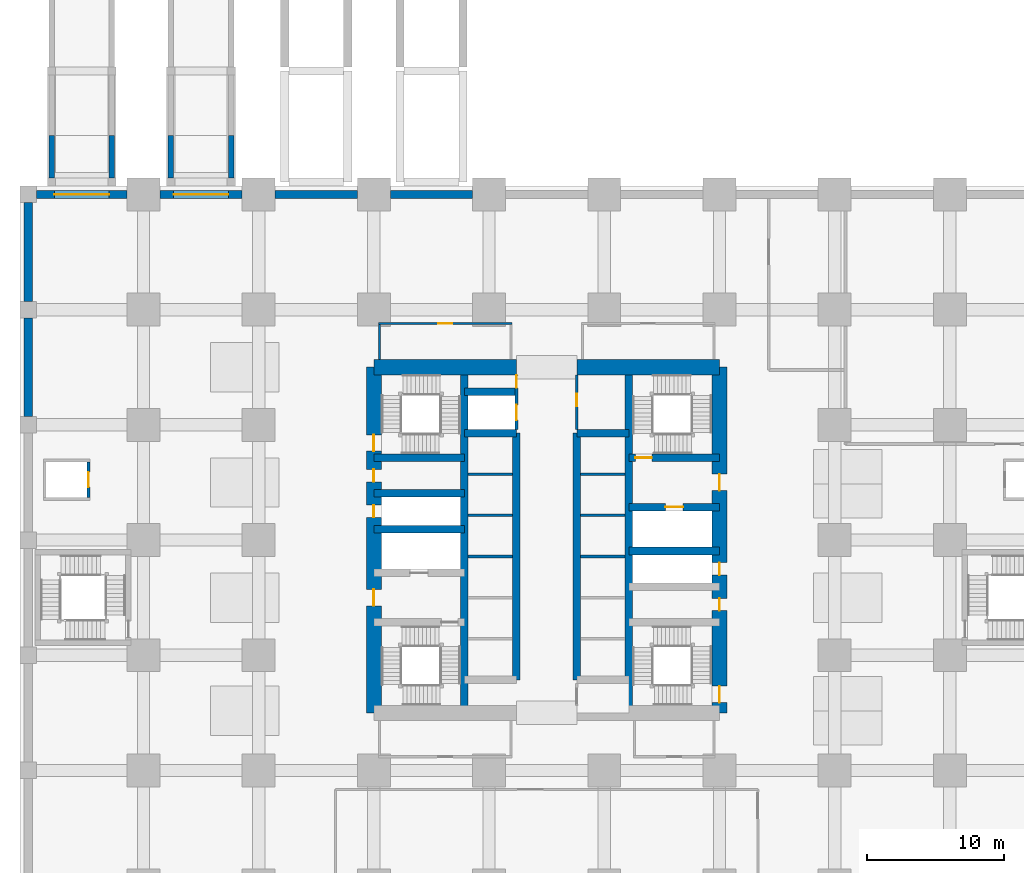
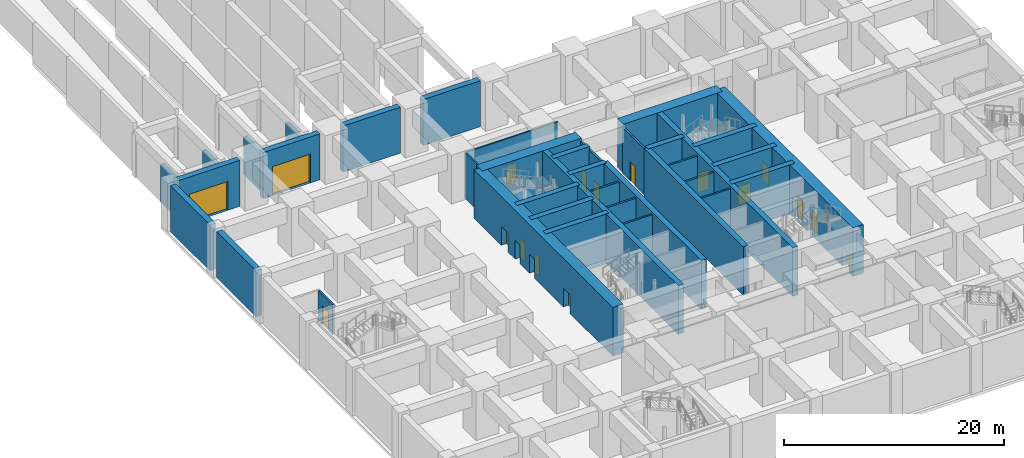
# One storey, part 7 of 20: 38 walls, 17 doors, 17 openings.
"""IFC4 building model written with IfcOpenShell, lengths in metres."""

from ifc_helpers import new_model, si_unit, direction, frame, frame_2d, origin, place, context, subcontext, project, spatial, rectangle, extrude, material, layer, layer_set, type_object, element, fill, save


model = new_model("IFC4")

# Units and contexts
model_context = context("Model", 3, precision=1e-05, world=origin(), true_north=direction((0.0, 1.0)))
body_context = subcontext(model_context, "Body", "Model", "MODEL_VIEW")
ifc_project = project(units=[si_unit("LENGTHUNIT", "METRE"), si_unit("AREAUNIT", "SQUARE_METRE"), si_unit("VOLUMEUNIT", "CUBIC_METRE"), si_unit("PLANEANGLEUNIT", "RADIAN"), si_unit("MASSUNIT", "GRAM", prefix="KILO")], contexts=[model_context])

# Site, building, storey
site_placement = place(None, origin())
site = spatial("IfcSite", under=ifc_project, at=site_placement, CompositionType="ELEMENT")
building_placement = place(site_placement, origin())
building = spatial("IfcBuilding", under=site, at=building_placement, Name="Rekha Terrace Tower", CompositionType="ELEMENT")
storey_placement = place(building_placement, frame((0.0, 0.0, -5.39990234375)))
storey = spatial("IfcBuildingStorey", under=building, at=storey_placement, Name="B-01", CompositionType="ELEMENT", Elevation=-5.39990234375)

# Walls
ifc_material_1 = material(Name="Concrete M70", Category="concrete")
ifc_layer_1 = layer(ifc_material_1, 0.550048828125)
ifc_layer_set_1 = layer_set([ifc_layer_1], Name="Concrete M70")
wall_type_1 = type_object("IfcWallType", Name="CI1 550 core internal shear wall", PredefinedType="SHEAR", material=ifc_layer_set_1)
for number, where, z_axis, x_axis, name in (
    (1, (31.800048828125, 21.0, 0.0), (0.0, 0.0, 1.0), (0.0, 1.0, 0.0), "Core wall X318 B-01"),
    (2, (43.800048828125, 21.0, 0.0), (0.0, 0.0, 1.0), (0.0, 1.0, 0.0), "Core wall X438 B-01"),
):
    element("IfcWall", number, at=place(storey_placement, frame(where, z_axis=z_axis, x_axis=x_axis)), inside=storey, type_object=wall_type_1, Name=name, PredefinedType="SHEAR", context=body_context, shape_type="SweptSolid", body=[
        extrude(rectangle(XDim=25.199951171875, YDim=0.550048828125, at=frame_2d((12.60009765625, 0.0))), origin(), (0.0, 0.0, 1.0), 5.39990234375),
    ])
for number, where, z_axis, x_axis, name in (
    (3, (35.60009765625, 23.39990234375, 0.0), (0.0, 0.0, 1.0), (0.0, 1.0, 0.0), "Core wall X356 B-01"),
    (4, (40.0, 23.39990234375, 0.0), (0.0, 0.0, 1.0), (0.0, 1.0, 0.0), "Core wall X400 B-01"),
):
    element("IfcWall", number, at=place(storey_placement, frame(where, z_axis=z_axis, x_axis=x_axis)), inside=storey, type_object=wall_type_1, Name=name, PredefinedType="SHEAR", context=body_context, shape_type="SweptSolid", body=[
        extrude(rectangle(XDim=18.0, YDim=0.550048828125, at=frame_2d((9.0, 0.0))), origin(), (0.0, 0.0, 1.0), 5.39990234375),
    ])
for number, where, z_axis, x_axis, name in (
    (5, (31.800048828125, 41.39990234375, 0.0), (0.0, 0.0, 1.0), (1.0, 0.0, 0.0), "Core wall Y414W B-01"),
    (6, (31.800048828125, 44.39990234375, 0.0), (0.0, 0.0, 1.0), (1.0, 0.0, 0.0), "Core wall Y444W B-01"),
    (7, (40.0, 41.39990234375, 0.0), (0.0, 0.0, 1.0), (1.0, 0.0, 0.0), "Core wall Y414E B-01"),
):
    element("IfcWall", number, at=place(storey_placement, frame(where, z_axis=z_axis, x_axis=x_axis)), inside=storey, type_object=wall_type_1, Name=name, PredefinedType="SHEAR", context=body_context, shape_type="SweptSolid", body=[
        extrude(rectangle(XDim=3.800048828125, YDim=0.550048828125, at=frame_2d((1.89990234375, 0.0))), origin(), (0.0, 0.0, 1.0), 5.39990234375),
    ])
for number, where, z_axis, x_axis, name in (
    (8, (25.199951171875, 34.39990234375, 0.0), (0.0, 0.0, 1.0), (1.0, 0.0, 0.0), "Core wall Y344W B-01"),
    (9, (25.199951171875, 37.0, 0.0), (0.0, 0.0, 1.0), (1.0, 0.0, 0.0), "Core wall Y370W B-01"),
    (10, (25.199951171875, 39.60009765625, 0.0), (0.0, 0.0, 1.0), (1.0, 0.0, 0.0), "Core wall Y396W B-01"),
):
    element("IfcWall", number, at=place(storey_placement, frame(where, z_axis=z_axis, x_axis=x_axis)), inside=storey, type_object=wall_type_1, Name=name, PredefinedType="SHEAR", context=body_context, shape_type="SweptSolid", body=[
        extrude(rectangle(XDim=6.60009765625, YDim=0.550048828125, at=frame_2d((3.300048828125, 0.0))), origin(), (0.0, 0.0, 1.0), 5.39990234375),
    ])
wall_1_placement = place(storey_placement, frame((43.800048828125, 32.800048828125, 0.0), z_axis=(0.0, 0.0, 1.0), x_axis=(1.0, 0.0, 0.0)))
element("IfcWall", 11, at=wall_1_placement, inside=storey, type_object=wall_type_1, Name="Core wall Y328E B-01", PredefinedType="SHEAR", context=body_context, shape_type="SweptSolid", body=[
    extrude(rectangle(XDim=6.599853515625, YDim=0.550048828125, at=frame_2d((3.2998046875, 0.0))), origin(), (0.0, 0.0, 1.0), 5.39990234375),
])

# Wall, opening, door
wall_2_placement = place(storey_placement, frame((43.800048828125, 36.0, 0.0), z_axis=(0.0, 0.0, 1.0), x_axis=(1.0, 0.0, 0.0)))
wall_2 = element("IfcWall", 12, at=wall_2_placement, inside=storey, type_object=wall_type_1, Name="Core wall Y360E B-01", PredefinedType="SHEAR", context=body_context, shape_type="SweptSolid", body=[
    extrude(rectangle(XDim=6.599853515625, YDim=0.550048828125, at=frame_2d((3.2998046875, 0.0))), origin(), (0.0, 0.0, 1.0), 5.39990234375),
])
opening_1_placement = place(wall_2_placement, frame((2.64990234375, 0.0, 0.0)))
opening_1 = element("IfcOpeningElement", 13, at=opening_1_placement, cuts=wall_2, Name="Opening LD2", PredefinedType="OPENING", context=body_context, shape_type="SweptSolid", body=[
    extrude(rectangle(XDim=1.300048828125, YDim=2.10009765625, at=frame_2d((0.64990234375, 1.050048828125))), frame((0.0, 0.284912109375, 0.0), z_axis=(0.0, -1.0, 0.0), x_axis=(1.0, 0.0, 0.0)), (0.0, 0.0, 1.0), 0.570068359375),
])
ifc_material_2 = material(Name="Stainless steel sliding landing door", Category="steel")
door_type_1 = type_object("IfcDoorType", Name="LD2 1300x2100 fire lift landing door", OperationType="SLIDING_TO_LEFT", PredefinedType="USERDEFINED", material=ifc_material_2)
door_1_placement = place(opening_1_placement, origin())
door_1 = element("IfcDoor", 14, at=door_1_placement, inside=storey, type_object=door_type_1, Name="Lift FL2 landing door B-01", ObjectType="LIFT LANDING DOOR", OperationType="SLIDING_TO_LEFT", OverallHeight=2.10009765625, OverallWidth=1.300048828125, PredefinedType="USERDEFINED", context=body_context, shape_type="SweptSolid", body=[
    extrude(rectangle(XDim=1.300048828125, YDim=2.10009765625, at=frame_2d((0.64990234375, 1.050048828125))), frame((0.0, 0.02490234375, 0.0), z_axis=(0.0, -1.0, 0.0), x_axis=(1.0, 0.0, 0.0)), (0.0, 0.0, 1.0), 0.050048828125),
])
fill(opening_1, door_1)

wall_3_placement = place(storey_placement, frame((43.800048828125, 39.60009765625, 0.0), z_axis=(0.0, 0.0, 1.0), x_axis=(1.0, 0.0, 0.0)))
wall_3 = element("IfcWall", 15, at=wall_3_placement, inside=storey, type_object=wall_type_1, Name="Core wall Y396E B-01", PredefinedType="SHEAR", context=body_context, shape_type="SweptSolid", body=[
    extrude(rectangle(XDim=6.599853515625, YDim=0.550048828125, at=frame_2d((3.2998046875, 0.0))), origin(), (0.0, 0.0, 1.0), 5.39990234375),
])
opening_2_placement = place(wall_3_placement, frame((0.47509765625, 0.0, 0.0)))
opening_2 = element("IfcOpeningElement", 16, at=opening_2_placement, cuts=wall_3, Name="Opening D1", PredefinedType="OPENING", context=body_context, shape_type="SweptSolid", body=[
    extrude(rectangle(XDim=1.199951171875, YDim=2.10009765625, at=frame_2d((0.60009765625, 1.050048828125))), frame((0.0, 0.284912109375, 0.0), z_axis=(0.0, -1.0, 0.0), x_axis=(1.0, 0.0, 0.0)), (0.0, 0.0, 1.0), 0.570068359375),
])
ifc_material_3 = material(Name="Steel fire door", Category="steel")
door_type_2 = type_object("IfcDoorType", Name="D1 1200x2100 stair fire door", OperationType="SINGLE_SWING_RIGHT", PredefinedType="DOOR", material=ifc_material_3)
door_2_placement = place(opening_2_placement, origin())
door_2 = element("IfcDoor", 17, at=door_2_placement, inside=storey, type_object=door_type_2, Name="Stair ST2 door B-01", OperationType="SINGLE_SWING_RIGHT", OverallHeight=2.10009765625, OverallWidth=1.199951171875, PredefinedType="DOOR", context=body_context, shape_type="SweptSolid", body=[
    extrude(rectangle(XDim=1.199951171875, YDim=2.10009765625, at=frame_2d((0.60009765625, 1.050048828125))), frame((0.0, 0.02490234375, 0.0), z_axis=(0.0, -1.0, 0.0), x_axis=(1.0, 0.0, 0.0)), (0.0, 0.0, 1.0), 0.050048828125),
])
fill(opening_2, door_2)

ifc_material_4 = material(Name="Concrete M40", Category="concrete")
ifc_layer_2 = layer(ifc_material_4, 0.60009765625)
ifc_layer_set_2 = layer_set([ifc_layer_2], Name="Concrete M40")
wall_type_2 = type_object("IfcWallType", Name="RW1 600 basement retaining wall", PredefinedType="SOLIDWALL", material=ifc_layer_set_2)
wall_4_placement = place(storey_placement, frame((0.60009765625, 58.800048828125, 0.0), z_axis=(0.0, 0.0, 1.0), x_axis=(1.0, 0.0, 0.0)))
wall_4 = element("IfcWall", 18, at=wall_4_placement, inside=storey, type_object=wall_type_2, Name="Basement retaining wall RW1 1H-2H B-01", PredefinedType="SOLIDWALL", context=body_context, shape_type="SweptSolid", body=[
    extrude(rectangle(XDim=6.599853515625, YDim=0.60009765625, at=frame_2d((3.2998046875, 0.0))), origin(), (0.0, 0.0, 1.0), 5.099853515625),
])
opening_3_placement = place(wall_4_placement, frame((1.300048828125, 0.0, 0.0)))
opening_3 = element("IfcOpeningElement", 19, at=opening_3_placement, cuts=wall_4, Name="Opening VD1", PredefinedType="OPENING", context=body_context, shape_type="SweptSolid", body=[
    extrude(rectangle(XDim=4.0, YDim=3.199951171875, at=frame_2d((2.0, 1.60009765625))), frame((0.0, 0.31005859375, 0.0), z_axis=(0.0, -1.0, 0.0), x_axis=(1.0, 0.0, 0.0)), (0.0, 0.0, 1.0), 0.6201171875),
])
ifc_material_5 = material(Name="Galvanised steel roller shutter", Category="steel")
door_type_3 = type_object("IfcDoorType", Name="VD1 4000x3200 vehicle roller shutter", OperationType="ROLLINGUP", PredefinedType="DOOR", material=ifc_material_5)
door_3_placement = place(opening_3_placement, origin())
door_3 = element("IfcDoor", 20, at=door_3_placement, inside=storey, type_object=door_type_3, Name="Vehicle entrance roller shutter 1", OperationType="ROLLINGUP", OverallHeight=3.199951171875, OverallWidth=4.0, PredefinedType="DOOR", context=body_context, shape_type="SweptSolid", body=[
    extrude(rectangle(XDim=4.0, YDim=3.199951171875, at=frame_2d((2.0, 1.60009765625))), frame((0.0, 0.02490234375, 0.0), z_axis=(0.0, -1.0, 0.0), x_axis=(1.0, 0.0, 0.0)), (0.0, 0.0, 1.0), 0.050048828125),
])
fill(opening_3, door_3)

wall_5_placement = place(storey_placement, frame((9.60009765625, 58.800048828125, 0.0), z_axis=(0.0, 0.0, 1.0), x_axis=(1.0, 0.0, 0.0)))
wall_5 = element("IfcWall", 21, at=wall_5_placement, inside=storey, type_object=wall_type_2, Name="Basement retaining wall RW1 2H-3H B-01", PredefinedType="SOLIDWALL", context=body_context, shape_type="SweptSolid", body=[
    extrude(rectangle(XDim=6.0, YDim=0.60009765625, at=frame_2d((3.0, 0.0))), origin(), (0.0, 0.0, 1.0), 5.099853515625),
])
opening_4_placement = place(wall_5_placement, frame((1.0, 0.0, 0.0)))
opening_4 = element("IfcOpeningElement", 22, at=opening_4_placement, cuts=wall_5, Name="Opening VD1", PredefinedType="OPENING", context=body_context, shape_type="SweptSolid", body=[
    extrude(rectangle(XDim=4.0, YDim=3.199951171875, at=frame_2d((2.0, 1.60009765625))), frame((0.0, 0.31005859375, 0.0), z_axis=(0.0, -1.0, 0.0), x_axis=(1.0, 0.0, 0.0)), (0.0, 0.0, 1.0), 0.6201171875),
])
door_4_placement = place(opening_4_placement, origin())
door_4 = element("IfcDoor", 23, at=door_4_placement, inside=storey, type_object=door_type_3, Name="Vehicle exit roller shutter 2", OperationType="ROLLINGUP", OverallHeight=3.199951171875, OverallWidth=4.0, PredefinedType="DOOR", context=body_context, shape_type="SweptSolid", body=[
    extrude(rectangle(XDim=4.0, YDim=3.199951171875, at=frame_2d((2.0, 1.60009765625))), frame((0.0, 0.02490234375, 0.0), z_axis=(0.0, -1.0, 0.0), x_axis=(1.0, 0.0, 0.0)), (0.0, 0.0, 1.0), 0.050048828125),
])
fill(opening_4, door_4)

# Walls
for number, where, z_axis, x_axis, name in (
    (24, (18.0, 58.800048828125, 0.0), (0.0, 0.0, 1.0), (1.0, 0.0, 0.0), "Basement retaining wall RW1 3H-4H B-01"),
    (25, (26.39990234375, 58.800048828125, 0.0), (0.0, 0.0, 1.0), (1.0, 0.0, 0.0), "Basement retaining wall RW1 4H-5H B-01"),
):
    element("IfcWall", number, at=place(storey_placement, frame(where, z_axis=z_axis, x_axis=x_axis)), inside=storey, type_object=wall_type_2, Name=name, PredefinedType="SOLIDWALL", context=body_context, shape_type="SweptSolid", body=[
        extrude(rectangle(XDim=6.0, YDim=0.60009765625, at=frame_2d((3.0, 0.0))), origin(), (0.0, 0.0, 1.0), 5.099853515625),
    ])
for number, where, z_axis, x_axis, name in (
    (26, (0.0, 42.60009765625, 0.0), (0.0, 0.0, 1.0), (0.0, 1.0, 0.0), "Basement retaining wall RW1 1F-1G B-01"),
    (27, (0.0, 51.0, 0.0), (0.0, 0.0, 1.0), (0.0, 1.0, 0.0), "Basement retaining wall RW1 1G-1H B-01"),
):
    element("IfcWall", number, at=place(storey_placement, frame(where, z_axis=z_axis, x_axis=x_axis)), inside=storey, type_object=wall_type_2, Name=name, PredefinedType="SOLIDWALL", context=body_context, shape_type="SweptSolid", body=[
        extrude(rectangle(XDim=7.199951171875, YDim=0.60009765625, at=frame_2d((3.60009765625, 0.0))), origin(), (0.0, 0.0, 1.0), 5.099853515625),
    ])
ifc_layer_3 = layer(ifc_material_4, 0.39990234375)
ifc_layer_set_3 = layer_set([ifc_layer_3], Name="Concrete M40")
wall_type_3 = type_object("IfcWallType", Name="RW2 400 ramp retaining wall", PredefinedType="SOLIDWALL", material=ifc_layer_set_3)
for number, where, z_axis, x_axis, name in (
    (28, (1.699951171875, 60.0, -0.300048828125), (0.0, 0.0, 1.0), (0.0, 1.0, 0.0), "Ramp 1 kerb wall RW2 W1"),
    (29, (6.10009765625, 60.0, -0.300048828125), (0.0, 0.0, 1.0), (0.0, 1.0, 0.0), "Ramp 1 kerb wall RW2 E1"),
    (30, (10.39990234375, 60.0, -0.300048828125), (0.0, 0.0, 1.0), (0.0, 1.0, 0.0), "Ramp 2 kerb wall RW2 W1"),
    (31, (14.800048828125, 60.0, -0.300048828125), (0.0, 0.0, 1.0), (0.0, 1.0, 0.0), "Ramp 2 kerb wall RW2 E1"),
):
    element("IfcWall", number, at=place(storey_placement, frame(where, z_axis=z_axis, x_axis=x_axis)), inside=storey, type_object=wall_type_3, Name=name, PredefinedType="SOLIDWALL", context=body_context, shape_type="SweptSolid", body=[
        extrude(rectangle(XDim=3.10009765625, YDim=0.39990234375, at=frame_2d((1.550048828125, 0.0))), origin(), (0.0, 0.0, 1.0), 4.179931640625),
    ])
ifc_layer_4 = layer(ifc_material_1, 1.10009765625)
ifc_layer_set_4 = layer_set([ifc_layer_4], Name="Concrete M70")
wall_type_4 = type_object("IfcWallType", Name="SW1 1100 core outer shear wall", PredefinedType="SHEAR", material=ifc_layer_set_4)
wall_6_placement = place(storey_placement, frame((25.199951171875, 46.199951171875, 0.0), z_axis=(0.0, 0.0, 1.0), x_axis=(1.0, 0.0, 0.0)))
element("IfcWall", 32, at=wall_6_placement, inside=storey, type_object=wall_type_4, Name="Core wall N1 B-01", PredefinedType="SHEAR", context=body_context, shape_type="SweptSolid", body=[
    extrude(rectangle(XDim=10.400146484375, YDim=1.10009765625, at=frame_2d((5.2001953125, 0.0))), origin(), (0.0, 0.0, 1.0), 5.39990234375),
])
wall_7_placement = place(storey_placement, frame((40.0, 46.199951171875, 0.0), z_axis=(0.0, 0.0, 1.0), x_axis=(1.0, 0.0, 0.0)))
element("IfcWall", 33, at=wall_7_placement, inside=storey, type_object=wall_type_4, Name="Core wall N2 B-01", PredefinedType="SHEAR", context=body_context, shape_type="SweptSolid", body=[
    extrude(rectangle(XDim=10.39990234375, YDim=1.10009765625, at=frame_2d((5.199951171875, 0.0))), origin(), (0.0, 0.0, 1.0), 5.39990234375),
])

# Wall, openings, doors
wall_8_placement = place(storey_placement, frame((25.199951171875, 21.0, 0.0), z_axis=(0.0, 0.0, 1.0), x_axis=(0.0, 1.0, 0.0)))
wall_8 = element("IfcWall", 34, at=wall_8_placement, inside=storey, type_object=wall_type_4, Name="Core wall W B-01", PredefinedType="SHEAR", context=body_context, shape_type="SweptSolid", body=[
    extrude(rectangle(XDim=25.199951171875, YDim=1.10009765625, at=frame_2d((12.60009765625, 0.0))), origin(), (0.0, 0.0, 1.0), 5.39990234375),
])
opening_5_placement = place(wall_8_placement, frame((7.800048828125, 0.0, 0.0)))
opening_5 = element("IfcOpeningElement", 35, at=opening_5_placement, cuts=wall_8, Name="Opening D2", PredefinedType="OPENING", context=body_context, shape_type="SweptSolid", body=[
    extrude(rectangle(XDim=1.199951171875, YDim=2.10009765625, at=frame_2d((0.60009765625, 1.050048828125))), frame((0.0, 0.56005859375, 0.0), z_axis=(0.0, -1.0, 0.0), x_axis=(1.0, 0.0, 0.0)), (0.0, 0.0, 1.0), 1.1201171875),
])
opening_6_placement = place(wall_8_placement, frame((14.25, 0.0, 0.0)))
opening_6 = element("IfcOpeningElement", 36, at=opening_6_placement, cuts=wall_8, Name="Opening D5", PredefinedType="OPENING", context=body_context, shape_type="SweptSolid", body=[
    extrude(rectangle(XDim=0.89990234375, YDim=2.10009765625, at=frame_2d((0.449951171875, 1.050048828125))), frame((0.0, 0.56005859375, 0.0), z_axis=(0.0, -1.0, 0.0), x_axis=(1.0, 0.0, 0.0)), (0.0, 0.0, 1.0), 1.1201171875),
])
opening_7_placement = place(wall_8_placement, frame((16.85009765625, 0.0, 0.0)))
opening_7 = element("IfcOpeningElement", 37, at=opening_7_placement, cuts=wall_8, Name="Opening D5", PredefinedType="OPENING", context=body_context, shape_type="SweptSolid", body=[
    extrude(rectangle(XDim=0.89990234375, YDim=2.10009765625, at=frame_2d((0.449951171875, 1.050048828125))), frame((0.0, 0.56005859375, 0.0), z_axis=(0.0, -1.0, 0.0), x_axis=(1.0, 0.0, 0.0)), (0.0, 0.0, 1.0), 1.1201171875),
])
opening_8_placement = place(wall_8_placement, frame((19.074951171875, 0.0, 0.0)))
opening_8 = element("IfcOpeningElement", 38, at=opening_8_placement, cuts=wall_8, Name="Opening D1", PredefinedType="OPENING", context=body_context, shape_type="SweptSolid", body=[
    extrude(rectangle(XDim=1.199951171875, YDim=2.10009765625, at=frame_2d((0.60009765625, 1.050048828125))), frame((0.0, 0.56005859375, 0.0), z_axis=(0.0, -1.0, 0.0), x_axis=(1.0, 0.0, 0.0)), (0.0, 0.0, 1.0), 1.1201171875),
])
door_5_placement = place(opening_8_placement, origin())
door_5 = element("IfcDoor", 39, at=door_5_placement, inside=storey, type_object=door_type_2, Name="Stair ST4 door B-01", OperationType="SINGLE_SWING_RIGHT", OverallHeight=2.10009765625, OverallWidth=1.199951171875, PredefinedType="DOOR", context=body_context, shape_type="SweptSolid", body=[
    extrude(rectangle(XDim=1.199951171875, YDim=2.10009765625, at=frame_2d((0.60009765625, 1.050048828125))), frame((0.0, 0.02490234375, 0.0), z_axis=(0.0, -1.0, 0.0), x_axis=(1.0, 0.0, 0.0)), (0.0, 0.0, 1.0), 0.050048828125),
])
fill(opening_8, door_5)
door_type_4 = type_object("IfcDoorType", Name="D2 1200x2100 firefighting lobby door", OperationType="SINGLE_SWING_LEFT", PredefinedType="DOOR", material=ifc_material_3)
door_6_placement = place(opening_5_placement, origin())
door_6 = element("IfcDoor", 40, at=door_6_placement, inside=storey, type_object=door_type_4, Name="Door flb1 B-01", OperationType="SINGLE_SWING_LEFT", OverallHeight=2.10009765625, OverallWidth=1.199951171875, PredefinedType="DOOR", context=body_context, shape_type="SweptSolid", body=[
    extrude(rectangle(XDim=1.199951171875, YDim=2.10009765625, at=frame_2d((0.60009765625, 1.050048828125))), frame((0.0, 0.02490234375, 0.0), z_axis=(0.0, -1.0, 0.0), x_axis=(1.0, 0.0, 0.0)), (0.0, 0.0, 1.0), 0.050048828125),
])
fill(opening_5, door_6)
door_type_5 = type_object("IfcDoorType", Name="D5 900x2100 riser access door", OperationType="SINGLE_SWING_LEFT", PredefinedType="DOOR", material=ifc_material_3)
door_7_placement = place(opening_6_placement, origin())
door_7 = element("IfcDoor", 41, at=door_7_placement, inside=storey, type_object=door_type_5, Name="Door rs1 B-01", OperationType="SINGLE_SWING_LEFT", OverallHeight=2.10009765625, OverallWidth=0.89990234375, PredefinedType="DOOR", context=body_context, shape_type="SweptSolid", body=[
    extrude(rectangle(XDim=0.89990234375, YDim=2.10009765625, at=frame_2d((0.449951171875, 1.050048828125))), frame((0.0, 0.02490234375, 0.0), z_axis=(0.0, -1.0, 0.0), x_axis=(1.0, 0.0, 0.0)), (0.0, 0.0, 1.0), 0.050048828125),
])
fill(opening_6, door_7)
door_8_placement = place(opening_7_placement, origin())
door_8 = element("IfcDoor", 42, at=door_8_placement, inside=storey, type_object=door_type_5, Name="Door elw B-01", OperationType="SINGLE_SWING_LEFT", OverallHeight=2.10009765625, OverallWidth=0.89990234375, PredefinedType="DOOR", context=body_context, shape_type="SweptSolid", body=[
    extrude(rectangle(XDim=0.89990234375, YDim=2.10009765625, at=frame_2d((0.449951171875, 1.050048828125))), frame((0.0, 0.02490234375, 0.0), z_axis=(0.0, -1.0, 0.0), x_axis=(1.0, 0.0, 0.0)), (0.0, 0.0, 1.0), 0.050048828125),
])
fill(opening_7, door_8)

wall_9_placement = place(storey_placement, frame((50.39990234375, 21.0, 0.0), z_axis=(0.0, 0.0, 1.0), x_axis=(0.0, 1.0, 0.0)))
wall_9 = element("IfcWall", 43, at=wall_9_placement, inside=storey, type_object=wall_type_4, Name="Core wall E B-01", PredefinedType="SHEAR", context=body_context, shape_type="SweptSolid", body=[
    extrude(rectangle(XDim=25.199951171875, YDim=1.10009765625, at=frame_2d((12.60009765625, 0.0))), origin(), (0.0, 0.0, 1.0), 5.39990234375),
])
opening_9_placement = place(wall_9_placement, frame((16.199951171875, 0.0, 0.0)))
opening_9 = element("IfcOpeningElement", 44, at=opening_9_placement, cuts=wall_9, Name="Opening D2", PredefinedType="OPENING", context=body_context, shape_type="SweptSolid", body=[
    extrude(rectangle(XDim=1.199951171875, YDim=2.10009765625, at=frame_2d((0.60009765625, 1.050048828125))), frame((0.0, 0.56005859375, 0.0), z_axis=(0.0, -1.0, 0.0), x_axis=(1.0, 0.0, 0.0)), (0.0, 0.0, 1.0), 1.1201171875),
])
opening_10_placement = place(wall_9_placement, frame((10.050048828125, 0.0, 0.0)))
opening_10 = element("IfcOpeningElement", 45, at=opening_10_placement, cuts=wall_9, Name="Opening D5", PredefinedType="OPENING", context=body_context, shape_type="SweptSolid", body=[
    extrude(rectangle(XDim=0.89990234375, YDim=2.10009765625, at=frame_2d((0.449951171875, 1.050048828125))), frame((0.0, 0.56005859375, 0.0), z_axis=(0.0, -1.0, 0.0), x_axis=(1.0, 0.0, 0.0)), (0.0, 0.0, 1.0), 1.1201171875),
])
opening_11_placement = place(wall_9_placement, frame((7.449951171875, 0.0, 0.0)))
opening_11 = element("IfcOpeningElement", 46, at=opening_11_placement, cuts=wall_9, Name="Opening D5", PredefinedType="OPENING", context=body_context, shape_type="SweptSolid", body=[
    extrude(rectangle(XDim=0.89990234375, YDim=2.10009765625, at=frame_2d((0.449951171875, 1.050048828125))), frame((0.0, 0.56005859375, 0.0), z_axis=(0.0, -1.0, 0.0), x_axis=(1.0, 0.0, 0.0)), (0.0, 0.0, 1.0), 1.1201171875),
])
opening_12_placement = place(wall_9_placement, frame((0.75, 0.0, 0.0)))
opening_12 = element("IfcOpeningElement", 47, at=opening_12_placement, cuts=wall_9, Name="Opening D1", PredefinedType="OPENING", context=body_context, shape_type="SweptSolid", body=[
    extrude(rectangle(XDim=1.199951171875, YDim=2.10009765625, at=frame_2d((0.60009765625, 1.050048828125))), frame((0.0, 0.56005859375, 0.0), z_axis=(0.0, -1.0, 0.0), x_axis=(1.0, 0.0, 0.0)), (0.0, 0.0, 1.0), 1.1201171875),
])
door_9_placement = place(opening_12_placement, origin())
door_9 = element("IfcDoor", 48, at=door_9_placement, inside=storey, type_object=door_type_2, Name="Stair ST3 door B-01", OperationType="SINGLE_SWING_RIGHT", OverallHeight=2.10009765625, OverallWidth=1.199951171875, PredefinedType="DOOR", context=body_context, shape_type="SweptSolid", body=[
    extrude(rectangle(XDim=1.199951171875, YDim=2.10009765625, at=frame_2d((0.60009765625, 1.050048828125))), frame((0.0, 0.02490234375, 0.0), z_axis=(0.0, -1.0, 0.0), x_axis=(1.0, 0.0, 0.0)), (0.0, 0.0, 1.0), 0.050048828125),
])
fill(opening_12, door_9)
door_10_placement = place(opening_9_placement, origin())
door_10 = element("IfcDoor", 49, at=door_10_placement, inside=storey, type_object=door_type_4, Name="Door flb2 B-01", OperationType="SINGLE_SWING_LEFT", OverallHeight=2.10009765625, OverallWidth=1.199951171875, PredefinedType="DOOR", context=body_context, shape_type="SweptSolid", body=[
    extrude(rectangle(XDim=1.199951171875, YDim=2.10009765625, at=frame_2d((0.60009765625, 1.050048828125))), frame((0.0, 0.02490234375, 0.0), z_axis=(0.0, -1.0, 0.0), x_axis=(1.0, 0.0, 0.0)), (0.0, 0.0, 1.0), 0.050048828125),
])
fill(opening_9, door_10)
door_11_placement = place(opening_10_placement, origin())
door_11 = element("IfcDoor", 50, at=door_11_placement, inside=storey, type_object=door_type_5, Name="Door rs2 B-01", OperationType="SINGLE_SWING_LEFT", OverallHeight=2.10009765625, OverallWidth=0.89990234375, PredefinedType="DOOR", context=body_context, shape_type="SweptSolid", body=[
    extrude(rectangle(XDim=0.89990234375, YDim=2.10009765625, at=frame_2d((0.449951171875, 1.050048828125))), frame((0.0, 0.02490234375, 0.0), z_axis=(0.0, -1.0, 0.0), x_axis=(1.0, 0.0, 0.0)), (0.0, 0.0, 1.0), 0.050048828125),
])
fill(opening_10, door_11)
door_12_placement = place(opening_11_placement, origin())
door_12 = element("IfcDoor", 51, at=door_12_placement, inside=storey, type_object=door_type_5, Name="Door ele B-01", OperationType="SINGLE_SWING_LEFT", OverallHeight=2.10009765625, OverallWidth=0.89990234375, PredefinedType="DOOR", context=body_context, shape_type="SweptSolid", body=[
    extrude(rectangle(XDim=0.89990234375, YDim=2.10009765625, at=frame_2d((0.449951171875, 1.050048828125))), frame((0.0, 0.02490234375, 0.0), z_axis=(0.0, -1.0, 0.0), x_axis=(1.0, 0.0, 0.0)), (0.0, 0.0, 1.0), 0.050048828125),
])
fill(opening_11, door_12)

# Wall, opening, door
ifc_material_6 = material(Name="Concrete block masonry, 1 hour", Category="masonry")
ifc_layer_5 = layer(ifc_material_6, 0.14990234375)
ifc_layer_set_5 = layer_set([ifc_layer_5], Name="Concrete block masonry, 1 hour")
wall_type_5 = type_object("IfcWallType", Name="WP2 150 tenancy partition", PredefinedType="PARTITIONING", material=ifc_layer_set_5)
wall_10_placement = place(storey_placement, frame((25.52490234375, 49.39990234375, 0.0), z_axis=(0.0, 0.0, 1.0), x_axis=(1.0, 0.0, 0.0)))
wall_10 = element("IfcWall", 52, at=wall_10_placement, inside=storey, type_object=wall_type_5, Name="Women's WC wall B-01", PredefinedType="PARTITIONING", context=body_context, shape_type="SweptSolid", body=[
    extrude(rectangle(XDim=9.75, YDim=0.14990234375, at=frame_2d((4.875, 0.0))), origin(), (0.0, 0.0, 1.0), 5.099853515625),
])
opening_13_placement = place(wall_10_placement, frame((4.375, 0.0, 0.0)))
opening_13 = element("IfcOpeningElement", 53, at=opening_13_placement, cuts=wall_10, Name="Opening D3", PredefinedType="OPENING", context=body_context, shape_type="SweptSolid", body=[
    extrude(rectangle(XDim=1.0, YDim=2.10009765625, at=frame_2d((0.5, 1.050048828125))), frame((0.0, 0.0849609375, 0.0), z_axis=(0.0, -1.0, 0.0), x_axis=(1.0, 0.0, 0.0)), (0.0, 0.0, 1.0), 0.169921875),
])
ifc_material_7 = material(Name="Laminated timber fire door", Category="wood")
door_type_6 = type_object("IfcDoorType", Name="D3 1000x2100 WC door", OperationType="SINGLE_SWING_LEFT", PredefinedType="DOOR", material=ifc_material_7)
door_13_placement = place(opening_13_placement, origin())
door_13 = element("IfcDoor", 54, at=door_13_placement, inside=storey, type_object=door_type_6, Name="Door women's wc B-01", OperationType="SINGLE_SWING_LEFT", OverallHeight=2.10009765625, OverallWidth=1.0, PredefinedType="DOOR", context=body_context, shape_type="SweptSolid", body=[
    extrude(rectangle(XDim=1.0, YDim=2.10009765625, at=frame_2d((0.5, 1.050048828125))), frame((0.0, 0.02490234375, 0.0), z_axis=(0.0, -1.0, 0.0), x_axis=(1.0, 0.0, 0.0)), (0.0, 0.0, 1.0), 0.050048828125),
])
fill(opening_13, door_13)

# Wall
wall_11_placement = place(storey_placement, frame((25.60009765625, 46.75, 0.0), z_axis=(0.0, 0.0, 1.0), x_axis=(0.0, 1.0, 0.0)))
element("IfcWall", 55, at=wall_11_placement, inside=storey, type_object=wall_type_5, Name="Women's WC wall B-01", PredefinedType="PARTITIONING", context=body_context, shape_type="SweptSolid", body=[
    extrude(rectangle(XDim=2.574951171875, YDim=0.14990234375, at=frame_2d((1.28759765625, 0.0))), origin(), (0.0, 0.0, 1.0), 5.099853515625),
])

# Wall, opening, door
ifc_material_8 = material(Name="Solid concrete block masonry, 2 hour", Category="masonry")
ifc_layer_6 = layer(ifc_material_8, 0.199951171875)
ifc_layer_set_6 = layer_set([ifc_layer_6], Name="Solid concrete block masonry, 2 hour")
wall_type_6 = type_object("IfcWallType", Name="WS1 200 stair and shaft enclosure", PredefinedType="PARTITIONING", material=ifc_layer_set_6)
wall_12_placement = place(storey_placement, frame((4.39990234375, 36.699951171875, 0.0), z_axis=(0.0, 0.0, 1.0), x_axis=(0.0, 1.0, 0.0)))
wall_12 = element("IfcWall", 56, at=wall_12_placement, inside=storey, type_object=wall_type_6, Name="Lift PL1 shaft east wall", PredefinedType="PARTITIONING", context=body_context, shape_type="SweptSolid", body=[
    extrude(rectangle(XDim=2.60009765625, YDim=0.199951171875, at=frame_2d((1.300048828125, 0.0))), origin(), (0.0, 0.0, 1.0), 3.2998046875),
])
opening_14_placement = place(wall_12_placement, frame((0.75, 0.0, 0.0)))
opening_14 = element("IfcOpeningElement", 57, at=opening_14_placement, cuts=wall_12, Name="Opening LD1", PredefinedType="OPENING", context=body_context, shape_type="SweptSolid", body=[
    extrude(rectangle(XDim=1.10009765625, YDim=2.10009765625, at=frame_2d((0.550048828125, 1.050048828125))), frame((0.0, 0.10986328125, 0.0), z_axis=(0.0, -1.0, 0.0), x_axis=(1.0, 0.0, 0.0)), (0.0, 0.0, 1.0), 0.219970703125),
])
door_type_7 = type_object("IfcDoorType", Name="LD1 1100x2100 lift landing door", OperationType="SLIDING_TO_LEFT", PredefinedType="USERDEFINED", material=ifc_material_2)
door_14_placement = place(opening_14_placement, origin())
door_14 = element("IfcDoor", 58, at=door_14_placement, inside=storey, type_object=door_type_7, Name="Lift PL1 landing door B-01", ObjectType="LIFT LANDING DOOR", OperationType="SLIDING_TO_LEFT", OverallHeight=2.10009765625, OverallWidth=1.10009765625, PredefinedType="USERDEFINED", context=body_context, shape_type="SweptSolid", body=[
    extrude(rectangle(XDim=1.10009765625, YDim=2.10009765625, at=frame_2d((0.550048828125, 1.050048828125))), frame((0.0, 0.02490234375, 0.0), z_axis=(0.0, -1.0, 0.0), x_axis=(1.0, 0.0, 0.0)), (0.0, 0.0, 1.0), 0.050048828125),
])
fill(opening_14, door_14)

# Walls
for number, where, z_axis, x_axis, name in (
    (59, (32.074951171875, 32.39990234375, 0.0), (0.0, 0.0, 1.0), (1.0, 0.0, 0.0), "Lift shaft divider B-01"),
    (60, (32.074951171875, 35.39990234375, 0.0), (0.0, 0.0, 1.0), (1.0, 0.0, 0.0), "Lift shaft divider B-01"),
    (61, (32.074951171875, 38.39990234375, 0.0), (0.0, 0.0, 1.0), (1.0, 0.0, 0.0), "Lift shaft divider B-01"),
    (62, (40.27490234375, 32.39990234375, 0.0), (0.0, 0.0, 1.0), (1.0, 0.0, 0.0), "Lift shaft divider B-01"),
    (63, (40.27490234375, 35.39990234375, 0.0), (0.0, 0.0, 1.0), (1.0, 0.0, 0.0), "Lift shaft divider B-01"),
    (64, (40.27490234375, 38.39990234375, 0.0), (0.0, 0.0, 1.0), (1.0, 0.0, 0.0), "Lift shaft divider B-01"),
):
    element("IfcWall", number, at=place(storey_placement, frame(where, z_axis=z_axis, x_axis=x_axis)), inside=storey, type_object=wall_type_6, Name=name, PredefinedType="PARTITIONING", context=body_context, shape_type="SweptSolid", body=[
        extrude(rectangle(XDim=3.25, YDim=0.199951171875, at=frame_2d((1.625, 0.0))), origin(), (0.0, 0.0, 1.0), 5.099853515625),
    ])

# Wall, opening, door
wall_13_placement = place(storey_placement, frame((40.0, 41.675048828125, 0.0), z_axis=(0.0, 0.0, 1.0), x_axis=(0.0, 1.0, 0.0)))
wall_13 = element("IfcWall", 65, at=wall_13_placement, inside=storey, type_object=wall_type_6, Name="Core partition elec B-01", PredefinedType="PARTITIONING", context=body_context, shape_type="SweptSolid", body=[
    extrude(rectangle(XDim=3.974853515625, YDim=0.199951171875, at=frame_2d((1.9873046875, 0.0))), origin(), (0.0, 0.0, 1.0), 5.099853515625),
])
opening_15_placement = place(wall_13_placement, frame((1.675048828125, 0.0, 0.0)))
opening_15 = element("IfcOpeningElement", 66, at=opening_15_placement, cuts=wall_13, Name="Opening D5", PredefinedType="OPENING", context=body_context, shape_type="SweptSolid", body=[
    extrude(rectangle(XDim=0.89990234375, YDim=2.10009765625, at=frame_2d((0.449951171875, 1.050048828125))), frame((0.0, 0.10986328125, 0.0), z_axis=(0.0, -1.0, 0.0), x_axis=(1.0, 0.0, 0.0)), (0.0, 0.0, 1.0), 0.219970703125),
])
door_15_placement = place(opening_15_placement, origin())
door_15 = element("IfcDoor", 67, at=door_15_placement, inside=storey, type_object=door_type_5, Name="Door electrical room B-01", OperationType="SINGLE_SWING_LEFT", OverallHeight=2.10009765625, OverallWidth=0.89990234375, PredefinedType="DOOR", context=body_context, shape_type="SweptSolid", body=[
    extrude(rectangle(XDim=0.89990234375, YDim=2.10009765625, at=frame_2d((0.449951171875, 1.050048828125))), frame((0.0, 0.02490234375, 0.0), z_axis=(0.0, -1.0, 0.0), x_axis=(1.0, 0.0, 0.0)), (0.0, 0.0, 1.0), 0.050048828125),
])
fill(opening_15, door_15)

# Wall, openings, doors
wall_14_placement = place(storey_placement, frame((35.60009765625, 41.675048828125, 0.0), z_axis=(0.0, 0.0, 1.0), x_axis=(0.0, 1.0, 0.0)))
wall_14 = element("IfcWall", 68, at=wall_14_placement, inside=storey, type_object=wall_type_6, Name="Core partition jansv B-01", PredefinedType="PARTITIONING", context=body_context, shape_type="SweptSolid", body=[
    extrude(rectangle(XDim=3.974853515625, YDim=0.199951171875, at=frame_2d((1.9873046875, 0.0))), origin(), (0.0, 0.0, 1.0), 5.099853515625),
])
opening_16_placement = place(wall_14_placement, frame((3.02490234375, 0.0, 0.0)))
opening_16 = element("IfcOpeningElement", 69, at=opening_16_placement, cuts=wall_14, Name="Opening D5", PredefinedType="OPENING", context=body_context, shape_type="SweptSolid", body=[
    extrude(rectangle(XDim=0.89990234375, YDim=2.10009765625, at=frame_2d((0.449951171875, 1.050048828125))), frame((0.0, 0.10986328125, 0.0), z_axis=(0.0, -1.0, 0.0), x_axis=(1.0, 0.0, 0.0)), (0.0, 0.0, 1.0), 0.219970703125),
])
opening_17_placement = place(wall_14_placement, frame((0.675048828125, 0.0, 0.0)))
opening_17 = element("IfcOpeningElement", 70, at=opening_17_placement, cuts=wall_14, Name="Opening LD1", PredefinedType="OPENING", context=body_context, shape_type="SweptSolid", body=[
    extrude(rectangle(XDim=1.10009765625, YDim=2.10009765625, at=frame_2d((0.550048828125, 1.050048828125))), frame((0.0, 0.10986328125, 0.0), z_axis=(0.0, -1.0, 0.0), x_axis=(1.0, 0.0, 0.0)), (0.0, 0.0, 1.0), 0.219970703125),
])
door_16_placement = place(opening_16_placement, origin())
door_16 = element("IfcDoor", 71, at=door_16_placement, inside=storey, type_object=door_type_5, Name="Door janitor room B-01", OperationType="SINGLE_SWING_LEFT", OverallHeight=2.10009765625, OverallWidth=0.89990234375, PredefinedType="DOOR", context=body_context, shape_type="SweptSolid", body=[
    extrude(rectangle(XDim=0.89990234375, YDim=2.10009765625, at=frame_2d((0.449951171875, 1.050048828125))), frame((0.0, 0.02490234375, 0.0), z_axis=(0.0, -1.0, 0.0), x_axis=(1.0, 0.0, 0.0)), (0.0, 0.0, 1.0), 0.050048828125),
])
fill(opening_16, door_16)
door_17_placement = place(opening_17_placement, origin())
door_17 = element("IfcDoor", 72, at=door_17_placement, inside=storey, type_object=door_type_7, Name="Lift SV1 landing door B-01", ObjectType="LIFT LANDING DOOR", OperationType="SLIDING_TO_LEFT", OverallHeight=2.10009765625, OverallWidth=1.10009765625, PredefinedType="USERDEFINED", context=body_context, shape_type="SweptSolid", body=[
    extrude(rectangle(XDim=1.10009765625, YDim=2.10009765625, at=frame_2d((0.550048828125, 1.050048828125))), frame((0.0, 0.02490234375, 0.0), z_axis=(0.0, -1.0, 0.0), x_axis=(1.0, 0.0, 0.0)), (0.0, 0.0, 1.0), 0.050048828125),
])
fill(opening_17, door_17)

save(model, "model.ifc")
